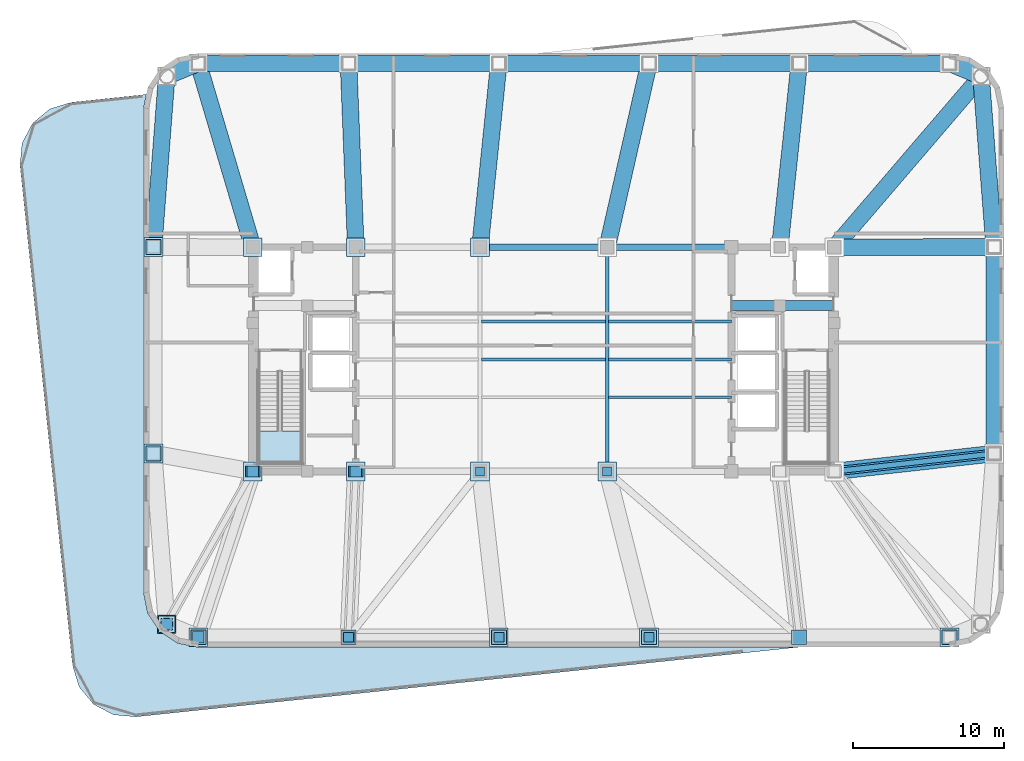
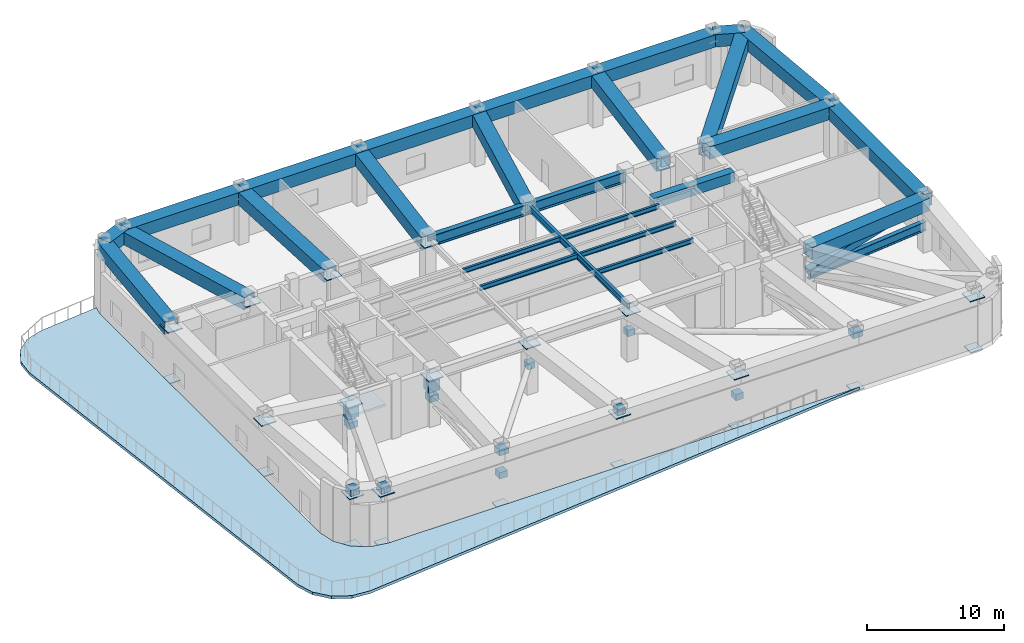
# One storey, part 2 of 10: 36 plates, 28 beams, 2 slabs, 1 member, 1 element without a shape of its own.
"""IFC4 building model written with IfcOpenShell, lengths in metres."""

from ifc_helpers import new_model, si_unit, direction, frame, origin, origin_2d, place, context, subcontext, project, spatial, polyline, rectangle, hollow_rectangle, i_section, outline, extrude, material, layer, layer_set, material_profile, profile_set, type_object, element, aggregate, save


model = new_model("IFC4")

# Units and contexts
model_context = context("Model", 3, precision=1e-05, world=origin(), true_north=direction((0.0, 1.0)))
body_context = subcontext(model_context, "Body", "Model", "MODEL_VIEW")
ifc_project = project(units=[si_unit("LENGTHUNIT", "METRE"), si_unit("AREAUNIT", "SQUARE_METRE"), si_unit("VOLUMEUNIT", "CUBIC_METRE"), si_unit("PLANEANGLEUNIT", "RADIAN"), si_unit("MASSUNIT", "GRAM", prefix="KILO")], contexts=[model_context])

# Site, building, storey
site_placement = place(None, origin())
site = spatial("IfcSite", under=ifc_project, at=site_placement, CompositionType="ELEMENT")
building_placement = place(site_placement, origin())
building = spatial("IfcBuilding", under=site, at=building_placement, Name="Voryun Gate Residences", CompositionType="ELEMENT")
storey_placement = place(building_placement, frame((0.0, 0.0, 195.0)))
storey = spatial("IfcBuildingStorey", under=building, at=storey_placement, Name="L48", CompositionType="ELEMENT", Elevation=195.0)

# Beams
ifc_material_1 = material(Name="Steel SM420", Category="steel")
ifc_material_profile_1 = material_profile(ifc_material_1, hollow_rectangle(XDim=1.10009765625, YDim=1.10009765625, WallThickness=0.035888671875, at=origin_2d()), Name="BOX-1100x1100x36")
ifc_profile_set_1 = profile_set([ifc_material_profile_1], Name="Steel SM420")
beam_type_1 = type_object("IfcBeamType", Name="BM_ARCH_RIB", PredefinedType="USERDEFINED", material=ifc_profile_set_1)
beam_1_placement = place(storey_placement, frame((29.75, -6.221923828125, 4.25), z_axis=(0.0, 1.0, 0.0), x_axis=(-1.0, 0.0, 0.0)))
element("IfcBeam", 1, at=beam_1_placement, inside=storey, type_object=beam_type_1, Name="BM-L48-SPAND-08", ObjectType="GIRDER", PredefinedType="USERDEFINED", context=body_context, shape_type="SweptSolid", body=[
    extrude(hollow_rectangle(XDim=1.10009765625, YDim=1.10009765625, WallThickness=0.035888671875, at=origin_2d()), origin(), (0.0, 0.0, 1.0), 13.64404296875),
])
beam_2_placement = place(storey_placement, frame((29.75, 7.422119140625, 4.25), z_axis=(-0.076481657417, 0.997070988485, 0.0), x_axis=(-0.997070988485, -0.076481657417, 0.0)))
element("IfcBeam", 2, at=beam_2_placement, inside=storey, type_object=beam_type_1, Name="BM-L48-SPAND-09", ObjectType="GIRDER", PredefinedType="USERDEFINED", context=body_context, shape_type="SweptSolid", body=[
    extrude(hollow_rectangle(XDim=1.10009765625, YDim=1.10009765625, WallThickness=0.035888671875, at=origin_2d()), origin(), (0.0, 0.0, 1.0), 11.297119140625),
])
beam_3_placement = place(storey_placement, frame((28.885986328125, 18.68603515625, 4.25), z_axis=(-0.923881087602, 0.382679678022, 0.0), x_axis=(-0.382679678022, -0.923881087602, 0.0)))
element("IfcBeam", 3, at=beam_3_placement, inside=storey, type_object=beam_type_1, Name="BM-L48-SPAND-10", ObjectType="GIRDER", PredefinedType="USERDEFINED", context=body_context, shape_type="SweptSolid", body=[
    extrude(hollow_rectangle(XDim=1.10009765625, YDim=1.10009765625, WallThickness=0.035888671875, at=origin_2d()), origin(), (0.0, 0.0, 1.0), 2.2578125),
])
beam_4_placement = place(storey_placement, frame((26.800048828125, 19.550048828125, 4.25), z_axis=(-1.0, 0.0, 0.0), x_axis=(0.0, -1.0, 0.0)))
element("IfcBeam", 4, at=beam_4_placement, inside=storey, type_object=beam_type_1, Name="BM-L48-SPAND-11", ObjectType="GIRDER", PredefinedType="USERDEFINED", context=body_context, shape_type="SweptSolid", body=[
    extrude(hollow_rectangle(XDim=1.10009765625, YDim=1.10009765625, WallThickness=0.035888671875, at=origin_2d()), origin(), (0.0, 0.0, 1.0), 9.920166015625),
])
for number, where, z_axis, x_axis, name in (
    (5, (16.8798828125, 19.550048828125, 4.25), (-1.0, 0.0, 0.0), (0.0, -1.0, 0.0), "BM-L48-SPAND-12"),
    (6, (6.9599609375, 19.550048828125, 4.25), (-1.0, 0.0, 0.0), (0.0, -1.0, 0.0), "BM-L48-SPAND-13"),
    (7, (-2.9599609375, 19.550048828125, 4.25), (-1.0, 0.0, 0.0), (0.0, -1.0, 0.0), "BM-L48-SPAND-14"),
):
    element("IfcBeam", number, at=place(storey_placement, frame(where, z_axis=z_axis, x_axis=x_axis)), inside=storey, type_object=beam_type_1, Name=name, ObjectType="GIRDER", PredefinedType="USERDEFINED", context=body_context, shape_type="SweptSolid", body=[
        extrude(hollow_rectangle(XDim=1.10009765625, YDim=1.10009765625, WallThickness=0.035888671875, at=origin_2d()), origin(), (0.0, 0.0, 1.0), 9.919921875),
    ])
beam_5_placement = place(storey_placement, frame((-12.8798828125, 19.550048828125, 4.25), z_axis=(-1.0, 0.0, 0.0), x_axis=(0.0, -1.0, 0.0)))
element("IfcBeam", 8, at=beam_5_placement, inside=storey, type_object=beam_type_1, Name="BM-L48-SPAND-15", ObjectType="GIRDER", PredefinedType="USERDEFINED", context=body_context, shape_type="SweptSolid", body=[
    extrude(hollow_rectangle(XDim=1.10009765625, YDim=1.10009765625, WallThickness=0.035888671875, at=origin_2d()), origin(), (0.0, 0.0, 1.0), 9.920166015625),
])
beam_6_placement = place(storey_placement, frame((-22.800048828125, 19.550048828125, 4.25), z_axis=(-0.923881087602, -0.382679678022, 0.0), x_axis=(0.382679678022, -0.923881087602, 0.0)))
element("IfcBeam", 9, at=beam_6_placement, inside=storey, type_object=beam_type_1, Name="BM-L48-SPAND-16", ObjectType="GIRDER", PredefinedType="USERDEFINED", context=body_context, shape_type="SweptSolid", body=[
    extrude(hollow_rectangle(XDim=1.10009765625, YDim=1.10009765625, WallThickness=0.035888671875, at=origin_2d()), origin(), (0.0, 0.0, 1.0), 2.2578125),
])
beam_7_placement = place(storey_placement, frame((-24.885986328125, 18.68603515625, 4.25), z_axis=(-0.076481657417, -0.997070988485, 0.0), x_axis=(0.997070988485, -0.076481657417, 0.0)))
element("IfcBeam", 10, at=beam_7_placement, inside=storey, type_object=beam_type_1, Name="BM-L48-SPAND-17", ObjectType="GIRDER", PredefinedType="USERDEFINED", context=body_context, shape_type="SweptSolid", body=[
    extrude(hollow_rectangle(XDim=1.10009765625, YDim=1.10009765625, WallThickness=0.035888671875, at=origin_2d()), origin(), (0.0, 0.0, 1.0), 11.297119140625),
])
beam_8_placement = place(storey_placement, frame((19.199951171875, -7.39990234375, 4.25), z_axis=(0.993824131675, 0.110966640486, 0.0), x_axis=(-0.110966640486, 0.993824131675, 0.0)))
element("IfcBeam", 11, at=beam_8_placement, inside=storey, type_object=beam_type_1, Name="BM-L48-RAD-E1", ObjectType="GIRDER", PredefinedType="USERDEFINED", context=body_context, shape_type="SweptSolid", body=[
    extrude(hollow_rectangle(XDim=1.10009765625, YDim=1.10009765625, WallThickness=0.035888671875, at=origin_2d()), origin(), (0.0, 0.0, 1.0), 10.61572265625),
])
beam_9_placement = place(storey_placement, frame((19.199951171875, 7.39990234375, 4.25), z_axis=(0.99999778271, 0.002105843108, 0.0), x_axis=(-0.002105843108, 0.99999778271, 0.0)))
element("IfcBeam", 12, at=beam_9_placement, inside=storey, type_object=beam_type_1, Name="BM-L48-RAD-E2", ObjectType="GIRDER", PredefinedType="USERDEFINED", context=body_context, shape_type="SweptSolid", body=[
    extrude(hollow_rectangle(XDim=1.10009765625, YDim=1.10009765625, WallThickness=0.035888671875, at=origin_2d()), origin(), (0.0, 0.0, 1.0), 10.550048828125),
])
beam_10_placement = place(storey_placement, frame((19.199951171875, 7.39990234375, 4.25), z_axis=(0.651264396721, 0.758850898111, 0.0), x_axis=(-0.758850898111, 0.651264396721, 0.0)))
element("IfcBeam", 13, at=beam_10_placement, inside=storey, type_object=beam_type_1, Name="BM-L48-RAD-CNE", ObjectType="GIRDER", PredefinedType="USERDEFINED", context=body_context, shape_type="SweptSolid", body=[
    extrude(hollow_rectangle(XDim=1.10009765625, YDim=1.10009765625, WallThickness=0.035888671875, at=origin_2d()), origin(), (0.0, 0.0, 1.0), 14.87255859375),
])
beam_11_placement = place(storey_placement, frame((15.60009765625, 7.39990234375, 4.25), z_axis=(0.104751358085, 0.994498442925, 0.0), x_axis=(-0.994498442925, 0.104751358085, 0.0)))
element("IfcBeam", 14, at=beam_11_placement, inside=storey, type_object=beam_type_1, Name="BM-L48-RAD-N2", ObjectType="GIRDER", PredefinedType="USERDEFINED", context=body_context, shape_type="SweptSolid", body=[
    extrude(hollow_rectangle(XDim=1.10009765625, YDim=1.10009765625, WallThickness=0.035888671875, at=origin_2d()), origin(), (0.0, 0.0, 1.0), 12.21728515625),
])
beam_12_placement = place(storey_placement, frame((4.199951171875, 7.39990234375, 4.25), z_axis=(0.221515238368, 0.975156910026, 0.0), x_axis=(-0.975156910026, 0.221515238368, 0.0)))
element("IfcBeam", 15, at=beam_12_placement, inside=storey, type_object=beam_type_1, Name="BM-L48-RAD-N3", ObjectType="GIRDER", PredefinedType="USERDEFINED", context=body_context, shape_type="SweptSolid", body=[
    extrude(hollow_rectangle(XDim=1.10009765625, YDim=1.10009765625, WallThickness=0.035888671875, at=origin_2d()), origin(), (0.0, 0.0, 1.0), 12.459716796875),
])
beam_13_placement = place(storey_placement, frame((-4.199951171875, 7.39990234375, 4.25), z_axis=(0.101528223047, 0.994832659257, 0.0), x_axis=(-0.994832659257, 0.101528223047, 0.0)))
element("IfcBeam", 16, at=beam_13_placement, inside=storey, type_object=beam_type_1, Name="BM-L48-RAD-N4", ObjectType="GIRDER", PredefinedType="USERDEFINED", context=body_context, shape_type="SweptSolid", body=[
    extrude(hollow_rectangle(XDim=1.10009765625, YDim=1.10009765625, WallThickness=0.035888671875, at=origin_2d()), origin(), (0.0, 0.0, 1.0), 12.213134765625),
])
beam_14_placement = place(storey_placement, frame((-12.39990234375, 7.39990234375, 4.25), z_axis=(-0.039473300578, 0.999220625558, 0.0), x_axis=(-0.999220625558, -0.039473300578, 0.0)))
element("IfcBeam", 17, at=beam_14_placement, inside=storey, type_object=beam_type_1, Name="BM-L48-RAD-N5", ObjectType="GIRDER", PredefinedType="USERDEFINED", context=body_context, shape_type="SweptSolid", body=[
    extrude(hollow_rectangle(XDim=1.10009765625, YDim=1.10009765625, WallThickness=0.035888671875, at=origin_2d()), origin(), (0.0, 0.0, 1.0), 12.15966796875),
])
beam_15_placement = place(storey_placement, frame((-19.199951171875, 7.39990234375, 4.25), z_axis=(-0.284092265434, 0.958796946553, 0.0), x_axis=(-0.958796946553, -0.284092265434, 0.0)))
element("IfcBeam", 18, at=beam_15_placement, inside=storey, type_object=beam_type_1, Name="BM-L48-RAD-N6", ObjectType="GIRDER", PredefinedType="USERDEFINED", context=body_context, shape_type="SweptSolid", body=[
    extrude(hollow_rectangle(XDim=1.10009765625, YDim=1.10009765625, WallThickness=0.035888671875, at=origin_2d()), origin(), (0.0, 0.0, 1.0), 12.67236328125),
])
ifc_material_2 = material(Name="Concrete C60/75", Category="concrete")
ifc_material_profile_2 = material_profile(ifc_material_2, rectangle(XDim=0.64990234375, YDim=0.89990234375, at=origin_2d()), Name="RC-650x900")
ifc_profile_set_2 = profile_set([ifc_material_profile_2], Name="Concrete C60/75")
beam_type_2 = type_object("IfcBeamType", Name="BM_COUP_RC900", PredefinedType="LINTEL", material=ifc_profile_set_2)
beam_16_placement = place(storey_placement, frame((12.39990234375, 3.550048828125, 4.35009765625), z_axis=(1.0, 0.0, 0.0), x_axis=(0.0, 1.0, 0.0)))
element("IfcBeam", 19, at=beam_16_placement, inside=storey, type_object=beam_type_2, Name="BM-L48-EC1", PredefinedType="LINTEL", context=body_context, shape_type="SweptSolid", body=[
    extrude(rectangle(XDim=0.64990234375, YDim=0.89990234375, at=origin_2d()), origin(), (0.0, 0.0, 1.0), 6.800048828125),
])
ifc_material_3 = material(Name="Steel SM355", Category="steel")
ifc_material_profile_3 = material_profile(ifc_material_3, i_section(OverallWidth=0.239990234375, OverallDepth=0.550048828125, WebThickness=0.011962890625, FlangeThickness=0.02001953125, FilletRadius=0.01806640625, at=origin_2d()), Name="H-550x240x12x20")
ifc_profile_set_3 = profile_set([ifc_material_profile_3], Name="Steel SM355")
beam_type_3 = type_object("IfcBeamType", Name="BM_GIRD_550", PredefinedType="USERDEFINED", material=ifc_profile_set_3)
beam_17_placement = place(storey_placement, frame((4.199951171875, -7.39990234375, 4.52490234375), z_axis=(0.0, 1.0, 0.0), x_axis=(-1.0, 0.0, 0.0)))
element("IfcBeam", 20, at=beam_17_placement, inside=storey, type_object=beam_type_3, Name="BM-L48-SPX-E", ObjectType="GIRDER", PredefinedType="USERDEFINED", context=body_context, shape_type="SweptSolid", body=[
    extrude(i_section(OverallWidth=0.239990234375, OverallDepth=0.550048828125, WebThickness=0.011962890625, FlangeThickness=0.02001953125, FilletRadius=0.01806640625, at=origin_2d()), origin(), (0.0, 0.0, 1.0), 14.7998046875),
])
ifc_material_4 = material(Name="Steel SM420", Category="steel")
ifc_material_profile_4 = material_profile(ifc_material_4, i_section(OverallWidth=0.360107421875, OverallDepth=0.800048828125, WebThickness=0.01611328125, FlangeThickness=0.030029296875, FilletRadius=0.01806640625, at=origin_2d()), Name="H-800x360x16x30")
ifc_profile_set_4 = profile_set([ifc_material_profile_4], Name="Steel SM420")
beam_type_4 = type_object("IfcBeamType", Name="BM_OUTRIGGER_CHD", PredefinedType="USERDEFINED", material=ifc_profile_set_4)
beam_18_placement = place(storey_placement, frame((19.199951171875, -7.39990234375, 2.14990234375), z_axis=(0.993824131675, 0.110966640486, 0.0), x_axis=(-0.110966640486, 0.993824131675, 0.0)))
element("IfcBeam", 21, at=beam_18_placement, inside=storey, type_object=beam_type_4, Name="BM-L48-OUTCHD-E1", ObjectType="GIRDER", PredefinedType="USERDEFINED", context=body_context, shape_type="SweptSolid", body=[
    extrude(i_section(OverallWidth=0.360107421875, OverallDepth=0.800048828125, WebThickness=0.01611328125, FlangeThickness=0.030029296875, FilletRadius=0.01806640625, at=origin_2d()), origin(), (0.0, 0.0, 1.0), 10.61572265625),
])
ifc_material_5 = material(Name="Steel SM355", Category="steel")
ifc_material_profile_5 = material_profile(ifc_material_5, i_section(OverallWidth=0.18994140625, OverallDepth=0.419921875, WebThickness=0.009033203125, FlangeThickness=0.01611328125, FilletRadius=0.01806640625, at=origin_2d()), Name="H-420x190x9x16")
ifc_profile_set_5 = profile_set([ifc_material_profile_5], Name="Steel SM355")
beam_type_5 = type_object("IfcBeamType", Name="BM_SEC_420", PredefinedType="BEAM", material=ifc_profile_set_5)
beam_19_placement = place(storey_placement, frame((4.300048828125, -2.5, 4.590087890625), z_axis=(1.0, 0.0, 0.0), x_axis=(0.0, 1.0, 0.0)))
element("IfcBeam", 22, at=beam_19_placement, inside=storey, type_object=beam_type_5, Name="BM-L48-SEC-CS3", PredefinedType="BEAM", context=body_context, shape_type="SweptSolid", body=[
    extrude(i_section(OverallWidth=0.18994140625, OverallDepth=0.419921875, WebThickness=0.009033203125, FlangeThickness=0.01611328125, FilletRadius=0.01806640625, at=origin_2d()), origin(), (0.0, 0.0, 1.0), 8.099853515625),
])
beam_20_placement = place(storey_placement, frame((-4.10009765625, 0.0, 4.590087890625), z_axis=(1.0, 0.0, 0.0), x_axis=(0.0, 1.0, 0.0)))
element("IfcBeam", 23, at=beam_20_placement, inside=storey, type_object=beam_type_5, Name="BM-L48-SEC-CM2", PredefinedType="BEAM", context=body_context, shape_type="SweptSolid", body=[
    extrude(i_section(OverallWidth=0.18994140625, OverallDepth=0.419921875, WebThickness=0.009033203125, FlangeThickness=0.01611328125, FilletRadius=0.01806640625, at=origin_2d()), origin(), (0.0, 0.0, 1.0), 8.2001953125),
])
beam_21_placement = place(storey_placement, frame((4.300048828125, 0.0, 4.590087890625), z_axis=(1.0, 0.0, 0.0), x_axis=(0.0, 1.0, 0.0)))
element("IfcBeam", 24, at=beam_21_placement, inside=storey, type_object=beam_type_5, Name="BM-L48-SEC-CM3", PredefinedType="BEAM", context=body_context, shape_type="SweptSolid", body=[
    extrude(i_section(OverallWidth=0.18994140625, OverallDepth=0.419921875, WebThickness=0.009033203125, FlangeThickness=0.01611328125, FilletRadius=0.01806640625, at=origin_2d()), origin(), (0.0, 0.0, 1.0), 8.099853515625),
])
beam_22_placement = place(storey_placement, frame((-4.10009765625, 2.5, 4.590087890625), z_axis=(1.0, 0.0, 0.0), x_axis=(0.0, 1.0, 0.0)))
element("IfcBeam", 25, at=beam_22_placement, inside=storey, type_object=beam_type_5, Name="BM-L48-SEC-CN2", PredefinedType="BEAM", context=body_context, shape_type="SweptSolid", body=[
    extrude(i_section(OverallWidth=0.18994140625, OverallDepth=0.419921875, WebThickness=0.009033203125, FlangeThickness=0.01611328125, FilletRadius=0.01806640625, at=origin_2d()), origin(), (0.0, 0.0, 1.0), 8.2001953125),
])
beam_23_placement = place(storey_placement, frame((4.300048828125, 2.5, 4.590087890625), z_axis=(1.0, 0.0, 0.0), x_axis=(0.0, 1.0, 0.0)))
element("IfcBeam", 26, at=beam_23_placement, inside=storey, type_object=beam_type_5, Name="BM-L48-SEC-CN3", PredefinedType="BEAM", context=body_context, shape_type="SweptSolid", body=[
    extrude(i_section(OverallWidth=0.18994140625, OverallDepth=0.419921875, WebThickness=0.009033203125, FlangeThickness=0.01611328125, FilletRadius=0.01806640625, at=origin_2d()), origin(), (0.0, 0.0, 1.0), 8.099853515625),
])
ifc_material_6 = material(Name="Steel SM420", Category="steel")
ifc_material_profile_6 = material_profile(ifc_material_6, i_section(OverallWidth=0.419921875, OverallDepth=0.949951171875, WebThickness=0.02001953125, FlangeThickness=0.035888671875, FilletRadius=0.01806640625, at=origin_2d()), Name="H-950x420x20x36")
ifc_profile_set_6 = profile_set([ifc_material_profile_6], Name="Steel SM420")
beam_type_6 = type_object("IfcBeamType", Name="BM_XFER_950", PredefinedType="USERDEFINED", material=ifc_profile_set_6)
beam_24_placement = place(storey_placement, frame((-4.199951171875, 7.39990234375, 4.324951171875), z_axis=(1.0, 0.0, 0.0), x_axis=(0.0, 1.0, 0.0)))
element("IfcBeam", 27, at=beam_24_placement, inside=storey, type_object=beam_type_6, Name="BM-L48-SPG2-N", ObjectType="GIRDER", PredefinedType="USERDEFINED", context=body_context, shape_type="SweptSolid", body=[
    extrude(i_section(OverallWidth=0.419921875, OverallDepth=0.949951171875, WebThickness=0.02001953125, FlangeThickness=0.035888671875, FilletRadius=0.01806640625, at=origin_2d()), origin(), (0.0, 0.0, 1.0), 8.39990234375),
])
beam_25_placement = place(storey_placement, frame((4.199951171875, 7.39990234375, 4.324951171875), z_axis=(1.0, 0.0, 0.0), x_axis=(0.0, 1.0, 0.0)))
element("IfcBeam", 28, at=beam_25_placement, inside=storey, type_object=beam_type_6, Name="BM-L48-SPG3-N", ObjectType="GIRDER", PredefinedType="USERDEFINED", context=body_context, shape_type="SweptSolid", body=[
    extrude(i_section(OverallWidth=0.419921875, OverallDepth=0.949951171875, WebThickness=0.02001953125, FlangeThickness=0.035888671875, FilletRadius=0.01806640625, at=origin_2d()), origin(), (0.0, 0.0, 1.0), 8.199951171875),
])

# Member
ifc_material_7 = material(Name="Steel SM420", Category="steel")
ifc_material_profile_7 = material_profile(ifc_material_7, hollow_rectangle(XDim=0.60009765625, YDim=0.60009765625, WallThickness=0.028076171875, at=origin_2d()), Name="BOX-600x600x28")
ifc_profile_set_7 = profile_set([ifc_material_profile_7], Name="Steel SM420")
member_type = type_object("IfcMemberType", Name="MBR_OUTRIGGER_DIAG", PredefinedType="BRACE", material=ifc_profile_set_7)
member_placement = place(storey_placement, frame((19.199951171875, -7.39990234375, 2.39990234375), z_axis=(0.974044962837, 0.108758173367, 0.198514659656), x_axis=(-0.110966640486, 0.993824131675, 0.0)))
element("IfcMember", 29, at=member_placement, inside=storey, type_object=member_type, Name="L48 Outrigger Truss Diagonal E1", PredefinedType="BRACE", context=body_context, shape_type="SweptSolid", body=[
    extrude(hollow_rectangle(XDim=0.60009765625, YDim=0.60009765625, WallThickness=0.028076171875, at=origin_2d()), origin(), (0.0, 0.0, 1.0), 10.8310546875),
])

# Plates
ifc_material_8 = material(Name="Steel SM355", Category="steel")
ifc_layer_1 = layer(ifc_material_8, 0.02490234375, Name="PLT_END_CAP_25")
ifc_layer_set_1 = layer_set([ifc_layer_1], Name="Steel SM355")
plate_type_1 = type_object("IfcPlateType", Name="PLT_END_CAP_25", PredefinedType="USERDEFINED", material=ifc_layer_set_1)
for number, where, z_axis, x_axis, name in (
    (30, (-22.800048828125, -18.35009765625, -0.43994140625), (0.0, 0.0, 1.0), (1.0, 0.0, 0.0), "L48 Hollow Member End-Cap Plate EC-583"),
    (31, (-12.8798828125, -18.35009765625, -0.43994140625), (0.0, 0.0, 1.0), (1.0, 0.0, 0.0), "L48 Hollow Member End-Cap Plate EC-584"),
    (32, (-2.9599609375, -18.35009765625, -0.43994140625), (0.0, 0.0, 1.0), (1.0, 0.0, 0.0), "L48 Hollow Member End-Cap Plate EC-585"),
    (33, (6.9599609375, -18.35009765625, -0.43994140625), (0.0, 0.0, 1.0), (1.0, 0.0, 0.0), "L48 Hollow Member End-Cap Plate EC-586"),
    (34, (16.8798828125, -18.35009765625, -0.43994140625), (0.0, 0.0, 1.0), (1.0, 0.0, 0.0), "L48 Hollow Member End-Cap Plate EC-587"),
    (35, (26.800048828125, -18.35009765625, -0.43994140625), (0.0, 0.0, 1.0), (1.0, 0.0, 0.0), "L48 Hollow Member End-Cap Plate EC-588"),
    (36, (-25.75, 7.422119140625, -0.43994140625), (0.0, 0.0, 1.0), (1.0, 0.0, 0.0), "L48 Hollow Member End-Cap Plate EC-600"),
    (37, (-25.75, -6.221923828125, -0.43994140625), (0.0, 0.0, 1.0), (1.0, 0.0, 0.0), "L48 Hollow Member End-Cap Plate EC-601"),
):
    element("IfcPlate", number, at=place(storey_placement, frame(where, z_axis=z_axis, x_axis=x_axis)), inside=storey, type_object=plate_type_1, Name=name, ObjectType="BASE_PLATE", PredefinedType="USERDEFINED", context=body_context, shape_type="SweptSolid", body=[
        extrude(rectangle(XDim=0.989990234375, YDim=0.989990234375, at=origin_2d()), origin(), (0.0, 0.0, 1.0), 0.080078125),
    ])
plate_1_placement = place(storey_placement, frame((-24.885986328125, -17.486083984375, -0.43994140625), z_axis=(0.0, 0.0, 1.0), x_axis=(1.0, 0.0, 0.0)))
element("IfcPlate", 38, at=plate_1_placement, inside=storey, type_object=plate_type_1, Name="L48 Hollow Member End-Cap Plate EC-602", ObjectType="BASE_PLATE", PredefinedType="USERDEFINED", context=body_context, shape_type="SweptSolid", body=[
    extrude(rectangle(XDim=1.090087890625, YDim=1.090087890625, at=origin_2d()), origin(), (0.0, 0.0, 1.0), 0.080078125),
])
for number, where, z_axis, x_axis, name in (
    (39, (-22.800048828125, -18.35009765625, 4.2099609375), (0.0, 0.0, 1.0), (1.0, 0.0, 0.0), "L48 Hollow Member End-Cap Plate EC-603"),
    (40, (-2.9599609375, -18.35009765625, 4.2099609375), (0.0, 0.0, 1.0), (1.0, 0.0, 0.0), "L48 Hollow Member End-Cap Plate EC-604"),
    (41, (6.9599609375, -18.35009765625, 4.2099609375), (0.0, 0.0, 1.0), (1.0, 0.0, 0.0), "L48 Hollow Member End-Cap Plate EC-605"),
    (42, (26.800048828125, -18.35009765625, 4.2099609375), (0.0, 0.0, 1.0), (1.0, 0.0, 0.0), "L48 Hollow Member End-Cap Plate EC-606"),
    (43, (-25.75, 7.422119140625, 4.2099609375), (0.0, 0.0, 1.0), (1.0, 0.0, 0.0), "L48 Hollow Member End-Cap Plate EC-618"),
    (44, (-25.75, -6.221923828125, 4.2099609375), (0.0, 0.0, 1.0), (1.0, 0.0, 0.0), "L48 Hollow Member End-Cap Plate EC-619"),
    (45, (-24.885986328125, -17.486083984375, 4.2099609375), (0.0, 0.0, 1.0), (1.0, 0.0, 0.0), "L48 Hollow Member End-Cap Plate EC-620"),
):
    element("IfcPlate", number, at=place(storey_placement, frame(where, z_axis=z_axis, x_axis=x_axis)), inside=storey, type_object=plate_type_1, Name=name, ObjectType="BASE_PLATE", PredefinedType="USERDEFINED", context=body_context, shape_type="SweptSolid", body=[
        extrude(rectangle(XDim=1.239990234375, YDim=1.239990234375, at=origin_2d()), origin(), (0.0, 0.0, 1.0), 0.080078125),
    ])
plate_2_placement = place(storey_placement, frame((4.199951171875, -7.39990234375, 2.099853515625), z_axis=(0.0, 0.0, 1.0), x_axis=(1.0, 0.0, 0.0)))
element("IfcPlate", 46, at=plate_2_placement, inside=storey, type_object=plate_type_1, Name="L48 Brace Node Connection Plate BN-622", ObjectType="BASE_PLATE", PredefinedType="USERDEFINED", context=body_context, shape_type="SweptSolid", body=[
    extrude(rectangle(XDim=0.60009765625, YDim=0.60009765625, at=origin_2d()), origin(), (0.0, 0.0, 1.0), 0.56005859375),
])
for number, where, z_axis, x_axis, name in (
    (47, (-19.199951171875, -7.39990234375, 4.2099609375), (0.0, 0.0, 1.0), (1.0, 0.0, 0.0), "L48 Hollow Member End-Cap Plate EC-623"),
    (48, (-12.39990234375, -7.39990234375, 4.2099609375), (0.0, 0.0, 1.0), (1.0, 0.0, 0.0), "L48 Hollow Member End-Cap Plate EC-624"),
    (49, (-4.199951171875, -7.39990234375, 4.2099609375), (0.0, 0.0, 1.0), (1.0, 0.0, 0.0), "L48 Hollow Member End-Cap Plate EC-625"),
    (50, (4.199951171875, -7.39990234375, 4.2099609375), (0.0, 0.0, 1.0), (1.0, 0.0, 0.0), "L48 Hollow Member End-Cap Plate EC-626"),
    (51, (-4.199951171875, 7.39990234375, 4.2099609375), (0.0, 0.0, 1.0), (1.0, 0.0, 0.0), "L48 Hollow Member End-Cap Plate EC-632"),
    (52, (-12.39990234375, 7.39990234375, 4.2099609375), (0.0, 0.0, 1.0), (1.0, 0.0, 0.0), "L48 Hollow Member End-Cap Plate EC-633"),
    (53, (-19.199951171875, 7.39990234375, 4.2099609375), (0.0, 0.0, 1.0), (1.0, 0.0, 0.0), "L48 Hollow Member End-Cap Plate EC-634"),
):
    element("IfcPlate", number, at=place(storey_placement, frame(where, z_axis=z_axis, x_axis=x_axis)), inside=storey, type_object=plate_type_1, Name=name, ObjectType="BASE_PLATE", PredefinedType="USERDEFINED", context=body_context, shape_type="SweptSolid", body=[
        extrude(rectangle(XDim=1.239990234375, YDim=1.239990234375, at=origin_2d()), origin(), (0.0, 0.0, 1.0), 0.080078125),
    ])
plate_3_placement = place(storey_placement, frame((-2.9599609375, -18.35009765625, 4.27001953125), z_axis=(0.0, 0.0, 1.0), x_axis=(1.0, 0.0, 0.0)))
element("IfcPlate", 54, at=plate_3_placement, inside=storey, type_object=plate_type_1, Name="L48 Brace Node Connection Plate BN-636", ObjectType="BASE_PLATE", PredefinedType="USERDEFINED", context=body_context, shape_type="SweptSolid", body=[
    extrude(rectangle(XDim=0.659912109375, YDim=0.659912109375, at=origin_2d()), origin(), (0.0, 0.0, 1.0), 0.56005859375),
])
for number, where, z_axis, x_axis, name in (
    (55, (-19.199951171875, -7.39990234375, 2.119873046875), (0.0, 0.0, 1.0), (1.0, 0.0, 0.0), "L48 Brace Node Connection Plate BN-638"),
    (56, (-22.800048828125, -18.35009765625, 4.27001953125), (0.0, 0.0, 1.0), (1.0, 0.0, 0.0), "L48 Brace Node Connection Plate BN-640"),
):
    element("IfcPlate", number, at=place(storey_placement, frame(where, z_axis=z_axis, x_axis=x_axis)), inside=storey, type_object=plate_type_1, Name=name, ObjectType="BASE_PLATE", PredefinedType="USERDEFINED", context=body_context, shape_type="SweptSolid", body=[
        extrude(rectangle(XDim=0.739990234375, YDim=0.739990234375, at=origin_2d()), origin(), (0.0, 0.0, 1.0), 0.56005859375),
    ])
ifc_material_9 = material(Name="Steel SM420", Category="steel")
ifc_layer_2 = layer(ifc_material_9, 0.035888671875, Name="PLT_OUTRIGGER_GUSSET_36")
ifc_layer_set_2 = layer_set([ifc_layer_2], Name="Steel SM420")
plate_type_2 = type_object("IfcPlateType", Name="PLT_OUTRIGGER_GUSSET_36", PredefinedType="USERDEFINED", material=ifc_layer_set_2)
for number, where, z_axis, x_axis, name in (
    (57, (-19.199951171875, -7.39990234375, 3.0), (0.0, 0.0, 1.0), (1.0, 0.0, 0.0), "L48 Outrigger Gusset Plate ON-CSW"),
    (58, (-12.39990234375, -7.39990234375, 3.0), (0.0, 0.0, 1.0), (1.0, 0.0, 0.0), "L48 Outrigger Gusset Plate ON-S2"),
):
    element("IfcPlate", number, at=place(storey_placement, frame(where, z_axis=z_axis, x_axis=x_axis)), inside=storey, type_object=plate_type_2, Name=name, ObjectType="GUSSET_PLATE", PredefinedType="USERDEFINED", context=body_context, shape_type="SweptSolid", body=[
        extrude(rectangle(XDim=0.949951171875, YDim=0.719970703125, at=origin_2d()), origin(), (0.0, 0.0, 1.0), 0.949951171875),
    ])
plate_4_placement = place(storey_placement, frame((-4.199951171875, -7.39990234375, 2.099853515625), z_axis=(0.0, 0.0, 1.0), x_axis=(1.0, 0.0, 0.0)))
element("IfcPlate", 59, at=plate_4_placement, inside=storey, type_object=plate_type_2, Name="L48 Brace Node Connection Plate BN-621", ObjectType="GUSSET_PLATE", PredefinedType="USERDEFINED", context=body_context, shape_type="SweptSolid", body=[
    extrude(rectangle(XDim=0.60009765625, YDim=0.60009765625, at=origin_2d()), origin(), (0.0, 0.0, 1.0), 0.56005859375),
])
for number, where, z_axis, x_axis, name in (
    (60, (-12.8798828125, -18.35009765625, 2.119873046875), (0.0, 0.0, 1.0), (1.0, 0.0, 0.0), "L48 Brace Node Connection Plate BN-635"),
    (61, (6.9599609375, -18.35009765625, 2.119873046875), (0.0, 0.0, 1.0), (1.0, 0.0, 0.0), "L48 Brace Node Connection Plate BN-637"),
):
    element("IfcPlate", number, at=place(storey_placement, frame(where, z_axis=z_axis, x_axis=x_axis)), inside=storey, type_object=plate_type_2, Name=name, ObjectType="GUSSET_PLATE", PredefinedType="USERDEFINED", context=body_context, shape_type="SweptSolid", body=[
        extrude(rectangle(XDim=0.659912109375, YDim=0.659912109375, at=origin_2d()), origin(), (0.0, 0.0, 1.0), 0.56005859375),
    ])
for number, where, z_axis, x_axis, name in (
    (62, (-24.885986328125, -17.486083984375, 4.27001953125), (0.0, 0.0, 1.0), (1.0, 0.0, 0.0), "L48 Brace Node Connection Plate BN-639"),
    (63, (-12.39990234375, -7.39990234375, 2.119873046875), (0.0, 0.0, 1.0), (1.0, 0.0, 0.0), "L48 Brace Node Connection Plate BN-641"),
):
    element("IfcPlate", number, at=place(storey_placement, frame(where, z_axis=z_axis, x_axis=x_axis)), inside=storey, type_object=plate_type_2, Name=name, ObjectType="GUSSET_PLATE", PredefinedType="USERDEFINED", context=body_context, shape_type="SweptSolid", body=[
        extrude(rectangle(XDim=0.739990234375, YDim=0.739990234375, at=origin_2d()), origin(), (0.0, 0.0, 1.0), 0.56005859375),
    ])
ifc_material_10 = material(Name="Steel SM420", Category="steel")
ifc_layer_3 = layer(ifc_material_10, 0.031982421875, Name="PLT_SPLICE_PLATE_32")
ifc_layer_set_3 = layer_set([ifc_layer_3], Name="Steel SM420")
plate_type_3 = type_object("IfcPlateType", Name="PLT_SPLICE_PLATE_32", PredefinedType="USERDEFINED", material=ifc_layer_set_3)
for number, where, z_axis, x_axis, name in (
    (64, (-12.8798828125, -18.35009765625, 4.22509765625), (0.0, 0.0, 1.0), (1.0, 0.0, 0.0), "L48 Mechanical Strut Splice Plate KN-S2"),
    (65, (16.8798828125, -18.35009765625, 4.22509765625), (0.0, 0.0, 1.0), (1.0, 0.0, 0.0), "L48 Mechanical Strut Splice Plate KN-S5"),
):
    element("IfcPlate", number, at=place(storey_placement, frame(where, z_axis=z_axis, x_axis=x_axis)), inside=storey, type_object=plate_type_3, Name=name, ObjectType="SPLICE_PLATE", PredefinedType="USERDEFINED", context=body_context, shape_type="SweptSolid", body=[
        extrude(rectangle(XDim=0.800048828125, YDim=0.800048828125, at=origin_2d()), origin(), (0.0, 0.0, 1.0), 0.449951171875),
    ])

# Stair, slab
ifc_material_11 = material(Name="Concrete C40/50", Category="concrete")
stair_type = type_object("IfcStairType", Name="STR_CORE_DOGLEG_1350", PredefinedType="HALF_TURN_STAIR", material=ifc_material_11)
stair_placement = place(storey_placement, origin())
stair = element("IfcStair", 66, at=stair_placement, inside=storey, type_object=stair_type, Name="L48 Special Escape Stair ST-W1", PredefinedType="HALF_TURN_STAIR")
ifc_material_12 = material(Name="Concrete C40/50", Category="concrete")
ifc_layer_4 = layer(ifc_material_12, 0.199951171875, Name="SLB_STAIR_LANDING_200")
ifc_layer_set_4 = layer_set([ifc_layer_4], Name="Concrete C40/50")
slab_type_1 = type_object("IfcSlabType", Name="SLB_STAIR_LANDING_200", PredefinedType="LANDING", material=ifc_layer_set_4)
slab_1_placement = place(storey_placement, frame((0.0, 0.0, 2.39990234375)))
slab_1 = element("IfcSlab", 67, at=slab_1_placement, type_object=slab_type_1, Name="ST-W1 landing 1", PredefinedType="LANDING", context=body_context, shape_type="SweptSolid", body=[
    extrude(outline(polyline([(-18.824951171875, -4.719970703125), (-18.824951171875, -6.85009765625), (-15.97509765625, -6.85009765625), (-15.97509765625, -4.719970703125), (-18.824951171875, -4.719970703125)])), origin(), (0.0, 0.0, 1.0), 0.2001953125),
])
aggregate(stair, [slab_1])

# Slab
ifc_material_13 = material(Name="Concrete C40/50", Category="concrete")
ifc_layer_5 = layer(ifc_material_13, 0.239990234375, Name="SLB_TERRACE_ROOF_240")
ifc_layer_set_5 = layer_set([ifc_layer_5], Name="Concrete C40/50")
slab_type_2 = type_object("IfcSlabType", Name="SLB_TERRACE_ROOF_240", PredefinedType="ROOF", material=ifc_layer_set_5)
slab_2_placement = place(storey_placement, frame((0.0, 0.0, -0.239990234375)))
element("IfcSlab", 68, at=slab_2_placement, inside=storey, type_object=slab_type_2, Name="Spiralling Setback Sky-Garden Terrace Roof 2", PredefinedType="ROOF", context=body_context, shape_type="SweptSolid", body=[
    extrude(outline(polyline([(-26.92529296875, -23.60595703125), (-28.401611328125, -23.47021484375), (-29.7138671875, -22.780029296875), (-30.661865234375, -21.639892578125), (-31.1015625, -20.22412109375), (-34.572021484375, 12.794189453125), (-34.436279296875, 14.2705078125), (-33.745849609375, 15.582763671875), (-32.60595703125, 16.53076171875), (-31.18994140625, 16.970458984375), (-26.2275390625, 17.4921875), (-26.40478515625, 16.60107421875), (-26.405029296875, 16.6005859375), (-26.405029296875, 16.60009765625), (-26.405029296875, -15.39990234375), (-26.405029296875, -15.400390625), (-26.40478515625, -15.40087890625), (-26.130859375, -16.778564453125), (-26.130859375, -16.779052734375), (-26.130615234375, -16.779541015625), (-26.13037109375, -16.780029296875), (-26.130126953125, -16.780517578125), (-25.349853515625, -17.9482421875), (-25.349365234375, -17.94873046875), (-25.34912109375, -17.94921875), (-25.348876953125, -17.949462890625), (-25.348388671875, -17.94970703125), (-24.180419921875, -18.730224609375), (-24.179931640625, -18.73046875), (-24.1796875, -18.73046875), (-24.17919921875, -18.730712890625), (-24.1787109375, -18.73095703125), (-22.801025390625, -19.0048828125), (-22.800537109375, -19.0048828125), (-22.800048828125, -19.0048828125), (16.850341796875, -19.0048828125), (-26.92529296875, -23.60595703125)])), origin(), (0.0, 0.0, 1.0), 0.239990234375),
])

save(model, "model.ifc")
